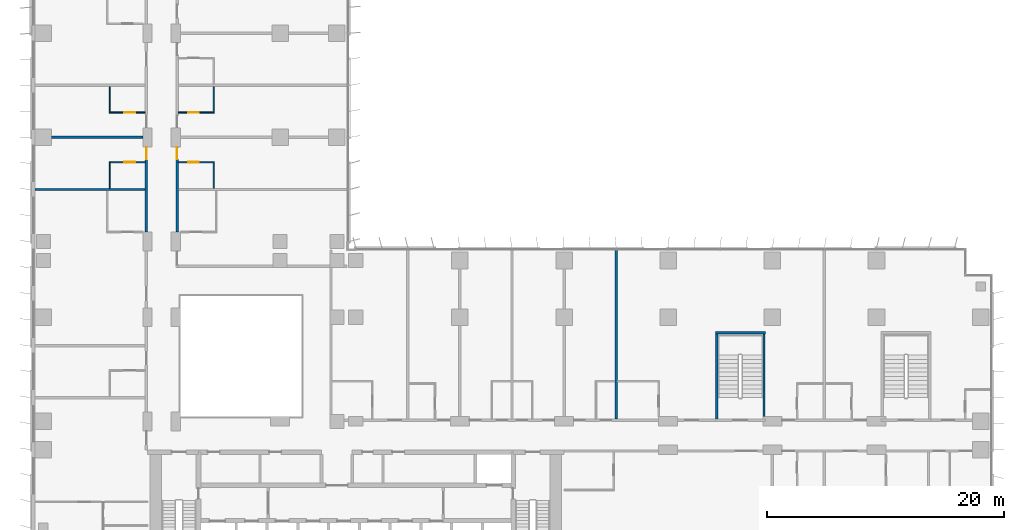
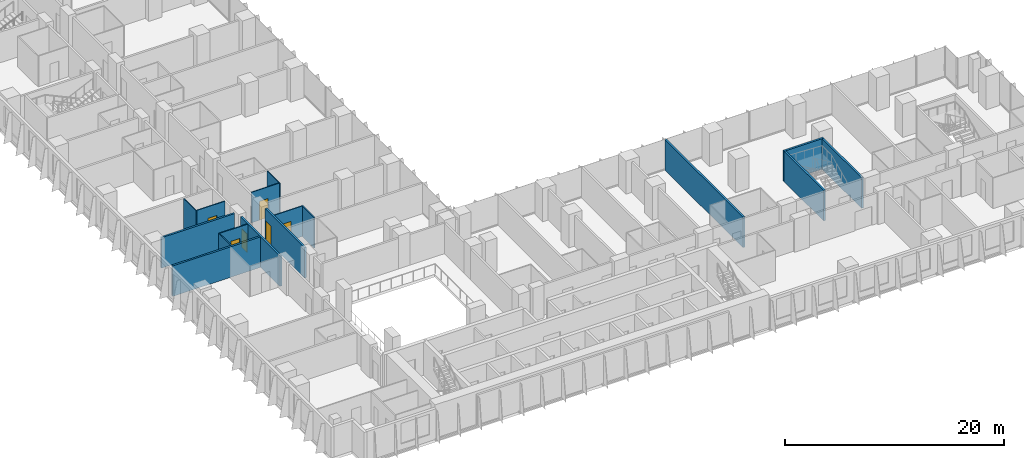
# One storey, part 15 of 24: 16 walls, 6 doors, 6 openings.
"""IFC4 building model written with IfcOpenShell, lengths in metres."""

from ifc_helpers import new_model, si_unit, direction, frame, frame_2d, origin, place, context, subcontext, project, spatial, rectangle, extrude, material, layer, layer_set, type_object, element, fill, save


model = new_model("IFC4")

# Units and contexts
model_context = context("Model", 3, precision=1e-05, world=origin(), true_north=direction((0.0, 1.0)))
body_context = subcontext(model_context, "Body", "Model", "MODEL_VIEW")
ifc_project = project(units=[si_unit("LENGTHUNIT", "METRE"), si_unit("AREAUNIT", "SQUARE_METRE"), si_unit("VOLUMEUNIT", "CUBIC_METRE"), si_unit("PLANEANGLEUNIT", "RADIAN"), si_unit("MASSUNIT", "GRAM", prefix="KILO")], contexts=[model_context])

# Site, building, storey
site_placement = place(None, origin())
site = spatial("IfcSite", under=ifc_project, at=site_placement, CompositionType="ELEMENT")
building_placement = place(site_placement, origin())
building = spatial("IfcBuilding", under=site, at=building_placement, Name="Kemantara Hotel Tower", CompositionType="ELEMENT")
storey_placement = place(building_placement, frame((0.0, 0.0, 63.60009765625)))
storey = spatial("IfcBuildingStorey", under=building, at=storey_placement, Name="L14", CompositionType="ELEMENT", Elevation=63.60009765625)

# Wall, opening, door
ifc_material_1 = material(Name="Gypsum board partition, steel studs and mineral wool, 200 mm", Category="steel")
ifc_layer_1 = layer(ifc_material_1, 0.199951171875)
ifc_layer_set_1 = layer_set([ifc_layer_1], Name="Gypsum board partition, steel studs and mineral wool, 200 mm")
wall_type_1 = type_object("IfcWallType", Name="CORRIDOR WALL 200", PredefinedType="PARTITIONING", material=ifc_layer_set_1)
wall_1_placement = place(storey_placement, frame((9.699951171875, 28.2001953125, 0.0), z_axis=(0.0, 0.0, 1.0), x_axis=(0.0, 1.0, 0.0)))
wall_1 = element("IfcWall", 1, at=wall_1_placement, inside=storey, type_object=wall_type_1, Name="CORRIDOR WALL 200 029", PredefinedType="PARTITIONING", context=body_context, shape_type="SweptSolid", body=[
    extrude(rectangle(XDim=7.19970703125, YDim=0.199951171875, at=frame_2d((3.599853515625, 0.0))), origin(), (0.0, 0.0, 1.0), 3.39990234375),
])
opening_1_placement = place(wall_1_placement, frame((6.14990234375, 0.0, 0.0)))
opening_1 = element("IfcOpeningElement", 2, at=opening_1_placement, cuts=wall_1, Name="Opening F05-035", PredefinedType="OPENING", context=body_context, shape_type="SweptSolid", body=[
    extrude(rectangle(XDim=1.0, YDim=2.10009765625, at=frame_2d((0.5, 1.050048828125))), frame((0.0, 0.10986328125, 0.0), z_axis=(0.0, -1.0, 0.0), x_axis=(1.0, 0.0, 0.0)), (0.0, 0.0, 1.0), 0.219970703125),
])
ifc_material_2 = material(Name="Hardwood veneer door leaf with steel frame", Category="steel")
door_type_1 = type_object("IfcDoorType", Name="GUEST ROOM DOOR 1000 X 2100 FD30S", OperationType="NOTDEFINED", PredefinedType="DOOR", material=ifc_material_2)
door_1_placement = place(opening_1_placement, origin())
door_1 = element("IfcDoor", 3, at=door_1_placement, inside=storey, type_object=door_type_1, Name="GUEST ROOM DOOR F05-035", OperationType="SINGLE_SWING_RIGHT", OverallHeight=2.10009765625, OverallWidth=1.0, PredefinedType="DOOR", context=body_context, shape_type="SweptSolid", body=[
    extrude(rectangle(XDim=1.0, YDim=2.10009765625, at=frame_2d((0.5, 1.050048828125))), frame((0.0, 0.02490234375, 0.0), z_axis=(0.0, -1.0, 0.0), x_axis=(1.0, 0.0, 0.0)), (0.0, 0.0, 1.0), 0.050048828125),
])
fill(opening_1, door_1)

wall_2_placement = place(storey_placement, frame((12.300048828125, 35.39990234375, 0.0), z_axis=(0.0, 0.0, 1.0), x_axis=(0.0, -1.0, 0.0)))
wall_2 = element("IfcWall", 4, at=wall_2_placement, inside=storey, type_object=wall_type_1, Name="CORRIDOR WALL 200 049", PredefinedType="PARTITIONING", context=body_context, shape_type="SweptSolid", body=[
    extrude(rectangle(XDim=7.19970703125, YDim=0.199951171875, at=frame_2d((3.599853515625, 0.0))), origin(), (0.0, 0.0, 1.0), 3.39990234375),
])
opening_2_placement = place(wall_2_placement, frame((0.0498046875, 0.0, 0.0)))
opening_2 = element("IfcOpeningElement", 5, at=opening_2_placement, cuts=wall_2, Name="Opening F05-051", PredefinedType="OPENING", context=body_context, shape_type="SweptSolid", body=[
    extrude(rectangle(XDim=1.0, YDim=2.10009765625, at=frame_2d((0.5, 1.050048828125))), frame((0.0, 0.10986328125, 0.0), z_axis=(0.0, -1.0, 0.0), x_axis=(1.0, 0.0, 0.0)), (0.0, 0.0, 1.0), 0.219970703125),
])
door_2_placement = place(opening_2_placement, origin())
door_2 = element("IfcDoor", 6, at=door_2_placement, inside=storey, type_object=door_type_1, Name="GUEST ROOM DOOR F05-051", OperationType="SINGLE_SWING_LEFT", OverallHeight=2.10009765625, OverallWidth=1.0, PredefinedType="DOOR", context=body_context, shape_type="SweptSolid", body=[
    extrude(rectangle(XDim=1.0, YDim=2.10009765625, at=frame_2d((0.5, 1.050048828125))), frame((0.0, 0.02490234375, 0.0), z_axis=(0.0, -1.0, 0.0), x_axis=(1.0, 0.0, 0.0)), (0.0, 0.0, 1.0), 0.050048828125),
])
fill(opening_2, door_2)

# Walls
ifc_material_3 = material(Name="Concrete fc 40 MPa", Category="concrete")
ifc_layer_2 = layer(ifc_material_3, 0.199951171875)
ifc_layer_set_2 = layer_set([ifc_layer_2], Name="Concrete fc 40 MPa")
wall_type_2 = type_object("IfcWallType", Name="Concrete stair wall 200 mm", PredefinedType="SHEAR", material=ifc_layer_set_2)
wall_3_placement = place(storey_placement, frame((57.800048828125, 19.699951171875, 0.0), z_axis=(0.0, 0.0, 1.0), x_axis=(1.0, 0.0, 0.0)))
element("IfcWall", 7, at=wall_3_placement, inside=storey, type_object=wall_type_2, Name="Stair ST3 enclosure wall N", PredefinedType="SHEAR", context=body_context, shape_type="SweptSolid", body=[
    extrude(rectangle(XDim=4.199951171875, YDim=0.199951171875, at=frame_2d((2.10009765625, 0.0))), origin(), (0.0, 0.0, 1.0), 3.39990234375),
])
for number, where, z_axis, x_axis, name in (
    (8, (57.89990234375, 12.39990234375, 0.0), (0.0, 0.0, 1.0), (0.0, 1.0, 0.0), "Stair ST3 enclosure wall W"),
    (9, (61.89990234375, 12.39990234375, 0.0), (0.0, 0.0, 1.0), (0.0, 1.0, 0.0), "Stair ST3 enclosure wall E"),
):
    element("IfcWall", number, at=place(storey_placement, frame(where, z_axis=z_axis, x_axis=x_axis)), inside=storey, type_object=wall_type_2, Name=name, PredefinedType="SHEAR", context=body_context, shape_type="SweptSolid", body=[
        extrude(rectangle(XDim=7.2001953125, YDim=0.199951171875, at=frame_2d((3.60009765625, 0.0))), origin(), (0.0, 0.0, 1.0), 3.39990234375),
    ])
ifc_layer_3 = layer(ifc_material_1, 0.199951171875)
ifc_layer_set_3 = layer_set([ifc_layer_3], Name="Gypsum board partition, steel studs and mineral wool, 200 mm")
wall_type_3 = type_object("IfcWallType", Name="GUEST ROOM PARTY WALL 200", PredefinedType="PARTITIONING", material=ifc_layer_set_3)
wall_4_placement = place(storey_placement, frame((49.39990234375, 12.39990234375, 0.0), z_axis=(0.0, 0.0, 1.0), x_axis=(0.0, 1.0, 0.0)))
element("IfcWall", 10, at=wall_4_placement, inside=storey, type_object=wall_type_3, Name="GUEST ROOM PARTY WALL 200 025", PredefinedType="PARTITIONING", context=body_context, shape_type="SweptSolid", body=[
    extrude(rectangle(XDim=14.27001953125, YDim=0.199951171875, at=frame_2d((7.135009765625, 0.0))), origin(), (0.0, 0.0, 1.0), 3.39990234375),
])
wall_5_placement = place(storey_placement, frame((0.31005859375, 31.800048828125, 0.0), z_axis=(0.0, 0.0, 1.0), x_axis=(1.0, 0.0, 0.0)))
element("IfcWall", 11, at=wall_5_placement, inside=storey, type_object=wall_type_3, Name="GUEST ROOM PARTY WALL 200 037", PredefinedType="PARTITIONING", context=body_context, shape_type="SweptSolid", body=[
    extrude(rectangle(XDim=9.2900390625, YDim=0.199951171875, at=frame_2d((4.64501953125, 0.0))), origin(), (0.0, 0.0, 1.0), 3.39990234375),
])
wall_6_placement = place(storey_placement, frame((1.7001953125, 36.199951171875, 0.0), z_axis=(0.0, 0.0, 1.0), x_axis=(1.0, 0.0, 0.0)))
element("IfcWall", 12, at=wall_6_placement, inside=storey, type_object=wall_type_3, Name="GUEST ROOM PARTY WALL 200 039", PredefinedType="PARTITIONING", context=body_context, shape_type="SweptSolid", body=[
    extrude(rectangle(XDim=7.69970703125, YDim=0.199951171875, at=frame_2d((3.849853515625, 0.0))), origin(), (0.0, 0.0, 1.0), 3.39990234375),
])
ifc_material_4 = material(Name="Gypsum board partition on steel studs, 100 mm", Category="steel")
ifc_layer_4 = layer(ifc_material_4, 0.10009765625)
ifc_layer_set_4 = layer_set([ifc_layer_4], Name="Gypsum board partition on steel studs, 100 mm")
wall_type_4 = type_object("IfcWallType", Name="ROOM PARTITION 100", PredefinedType="PARTITIONING", material=ifc_layer_set_4)
for number, where, z_axis, x_axis, name in (
    (13, (6.60009765625, 31.89990234375, 0.0), (0.0, 0.0, 1.0), (0.0, 1.0, 0.0), "ROOM PARTITION 100 097"),
    (14, (6.60009765625, 38.25, 0.0), (0.0, 0.0, 1.0), (0.0, 1.0, 0.0), "ROOM PARTITION 100 098"),
):
    element("IfcWall", number, at=place(storey_placement, frame(where, z_axis=z_axis, x_axis=x_axis)), inside=storey, type_object=wall_type_4, Name=name, PredefinedType="PARTITIONING", context=body_context, shape_type="SweptSolid", body=[
        extrude(rectangle(XDim=2.25, YDim=0.10009765625, at=frame_2d((1.125, 0.0))), origin(), (0.0, 0.0, 1.0), 3.39990234375),
    ])

# Wall, opening, door
wall_7_placement = place(storey_placement, frame((9.60009765625, 34.10009765625, 0.0), z_axis=(0.0, 0.0, 1.0), x_axis=(-1.0, 0.0, 0.0)))
wall_7 = element("IfcWall", 15, at=wall_7_placement, inside=storey, type_object=wall_type_4, Name="ROOM PARTITION 100 107", PredefinedType="PARTITIONING", context=body_context, shape_type="SweptSolid", body=[
    extrude(rectangle(XDim=2.9501953125, YDim=0.10009765625, at=frame_2d((1.47509765625, 0.0))), origin(), (0.0, 0.0, 1.0), 3.39990234375),
])
opening_3_placement = place(wall_7_placement, frame((0.85009765625, 0.0, 0.0)))
opening_3 = element("IfcOpeningElement", 16, at=opening_3_placement, cuts=wall_7, Name="Opening F05-036", PredefinedType="OPENING", context=body_context, shape_type="SweptSolid", body=[
    extrude(rectangle(XDim=0.89990234375, YDim=2.10009765625, at=frame_2d((0.449951171875, 1.050048828125))), frame((0.0, 0.06005859375, 0.0), z_axis=(0.0, -1.0, 0.0), x_axis=(1.0, 0.0, 0.0)), (0.0, 0.0, 1.0), 0.1201171875),
])
door_type_2 = type_object("IfcDoorType", Name="BATHROOM DOOR 900 X 2100", OperationType="NOTDEFINED", PredefinedType="DOOR", material=ifc_material_2)
door_3_placement = place(opening_3_placement, origin())
door_3 = element("IfcDoor", 17, at=door_3_placement, inside=storey, type_object=door_type_2, Name="BATHROOM DOOR F05-036", OperationType="SINGLE_SWING_LEFT", OverallHeight=2.10009765625, OverallWidth=0.89990234375, PredefinedType="DOOR", context=body_context, shape_type="SweptSolid", body=[
    extrude(rectangle(XDim=0.89990234375, YDim=2.10009765625, at=frame_2d((0.449951171875, 1.050048828125))), frame((0.0, 0.02490234375, 0.0), z_axis=(0.0, -1.0, 0.0), x_axis=(1.0, 0.0, 0.0)), (0.0, 0.0, 1.0), 0.050048828125),
])
fill(opening_3, door_3)

wall_8_placement = place(storey_placement, frame((15.35009765625, 34.10009765625, 0.0), z_axis=(0.0, 0.0, 1.0), x_axis=(-1.0, 0.0, 0.0)))
wall_8 = element("IfcWall", 18, at=wall_8_placement, inside=storey, type_object=wall_type_4, Name="ROOM PARTITION 100 108", PredefinedType="PARTITIONING", context=body_context, shape_type="SweptSolid", body=[
    extrude(rectangle(XDim=2.9501953125, YDim=0.10009765625, at=frame_2d((1.47509765625, 0.0))), origin(), (0.0, 0.0, 1.0), 3.39990234375),
])
opening_4_placement = place(wall_8_placement, frame((1.199951171875, 0.0, 0.0)))
opening_4 = element("IfcOpeningElement", 19, at=opening_4_placement, cuts=wall_8, Name="Opening F05-052", PredefinedType="OPENING", context=body_context, shape_type="SweptSolid", body=[
    extrude(rectangle(XDim=0.89990234375, YDim=2.10009765625, at=frame_2d((0.449951171875, 1.050048828125))), frame((0.0, 0.06005859375, 0.0), z_axis=(0.0, -1.0, 0.0), x_axis=(1.0, 0.0, 0.0)), (0.0, 0.0, 1.0), 0.1201171875),
])
door_4_placement = place(opening_4_placement, origin())
door_4 = element("IfcDoor", 20, at=door_4_placement, inside=storey, type_object=door_type_2, Name="BATHROOM DOOR F05-052", OperationType="SINGLE_SWING_RIGHT", OverallHeight=2.10009765625, OverallWidth=0.89990234375, PredefinedType="DOOR", context=body_context, shape_type="SweptSolid", body=[
    extrude(rectangle(XDim=0.89990234375, YDim=2.10009765625, at=frame_2d((0.449951171875, 1.050048828125))), frame((0.0, 0.02490234375, 0.0), z_axis=(0.0, -1.0, 0.0), x_axis=(1.0, 0.0, 0.0)), (0.0, 0.0, 1.0), 0.050048828125),
])
fill(opening_4, door_4)

wall_9_placement = place(storey_placement, frame((6.64990234375, 38.300048828125, 0.0), z_axis=(0.0, 0.0, 1.0), x_axis=(1.0, 0.0, 0.0)))
wall_9 = element("IfcWall", 21, at=wall_9_placement, inside=storey, type_object=wall_type_4, Name="ROOM PARTITION 100 109", PredefinedType="PARTITIONING", context=body_context, shape_type="SweptSolid", body=[
    extrude(rectangle(XDim=2.9501953125, YDim=0.10009765625, at=frame_2d((1.47509765625, 0.0))), origin(), (0.0, 0.0, 1.0), 3.39990234375),
])
opening_5_placement = place(wall_9_placement, frame((1.199951171875, 0.0, 0.0)))
opening_5 = element("IfcOpeningElement", 22, at=opening_5_placement, cuts=wall_9, Name="Opening F05-038", PredefinedType="OPENING", context=body_context, shape_type="SweptSolid", body=[
    extrude(rectangle(XDim=0.89990234375, YDim=2.10009765625, at=frame_2d((0.449951171875, 1.050048828125))), frame((0.0, 0.06005859375, 0.0), z_axis=(0.0, -1.0, 0.0), x_axis=(1.0, 0.0, 0.0)), (0.0, 0.0, 1.0), 0.1201171875),
])
door_5_placement = place(opening_5_placement, origin())
door_5 = element("IfcDoor", 23, at=door_5_placement, inside=storey, type_object=door_type_2, Name="BATHROOM DOOR F05-038", OperationType="SINGLE_SWING_RIGHT", OverallHeight=2.10009765625, OverallWidth=0.89990234375, PredefinedType="DOOR", context=body_context, shape_type="SweptSolid", body=[
    extrude(rectangle(XDim=0.89990234375, YDim=2.10009765625, at=frame_2d((0.449951171875, 1.050048828125))), frame((0.0, 0.02490234375, 0.0), z_axis=(0.0, -1.0, 0.0), x_axis=(1.0, 0.0, 0.0)), (0.0, 0.0, 1.0), 0.050048828125),
])
fill(opening_5, door_5)

wall_10_placement = place(storey_placement, frame((12.39990234375, 38.300048828125, 0.0), z_axis=(0.0, 0.0, 1.0), x_axis=(1.0, 0.0, 0.0)))
wall_10 = element("IfcWall", 24, at=wall_10_placement, inside=storey, type_object=wall_type_4, Name="ROOM PARTITION 100 110", PredefinedType="PARTITIONING", context=body_context, shape_type="SweptSolid", body=[
    extrude(rectangle(XDim=2.9501953125, YDim=0.10009765625, at=frame_2d((1.47509765625, 0.0))), origin(), (0.0, 0.0, 1.0), 3.39990234375),
])
opening_6_placement = place(wall_10_placement, frame((0.85009765625, 0.0, 0.0)))
opening_6 = element("IfcOpeningElement", 25, at=opening_6_placement, cuts=wall_10, Name="Opening F05-054", PredefinedType="OPENING", context=body_context, shape_type="SweptSolid", body=[
    extrude(rectangle(XDim=0.89990234375, YDim=2.10009765625, at=frame_2d((0.449951171875, 1.050048828125))), frame((0.0, 0.06005859375, 0.0), z_axis=(0.0, -1.0, 0.0), x_axis=(1.0, 0.0, 0.0)), (0.0, 0.0, 1.0), 0.1201171875),
])
door_6_placement = place(opening_6_placement, origin())
door_6 = element("IfcDoor", 26, at=door_6_placement, inside=storey, type_object=door_type_2, Name="BATHROOM DOOR F05-054", OperationType="SINGLE_SWING_LEFT", OverallHeight=2.10009765625, OverallWidth=0.89990234375, PredefinedType="DOOR", context=body_context, shape_type="SweptSolid", body=[
    extrude(rectangle(XDim=0.89990234375, YDim=2.10009765625, at=frame_2d((0.449951171875, 1.050048828125))), frame((0.0, 0.02490234375, 0.0), z_axis=(0.0, -1.0, 0.0), x_axis=(1.0, 0.0, 0.0)), (0.0, 0.0, 1.0), 0.050048828125),
])
fill(opening_6, door_6)

# Walls
for number, where, z_axis, x_axis, name in (
    (27, (15.39990234375, 31.89990234375, 0.0), (0.0, 0.0, 1.0), (0.0, 1.0, 0.0), "ROOM PARTITION 100 120"),
    (28, (15.39990234375, 38.25, 0.0), (0.0, 0.0, 1.0), (0.0, 1.0, 0.0), "ROOM PARTITION 100 121"),
):
    element("IfcWall", number, at=place(storey_placement, frame(where, z_axis=z_axis, x_axis=x_axis)), inside=storey, type_object=wall_type_4, Name=name, PredefinedType="PARTITIONING", context=body_context, shape_type="SweptSolid", body=[
        extrude(rectangle(XDim=2.25, YDim=0.10009765625, at=frame_2d((1.125, 0.0))), origin(), (0.0, 0.0, 1.0), 3.39990234375),
    ])

save(model, "model.ifc")
